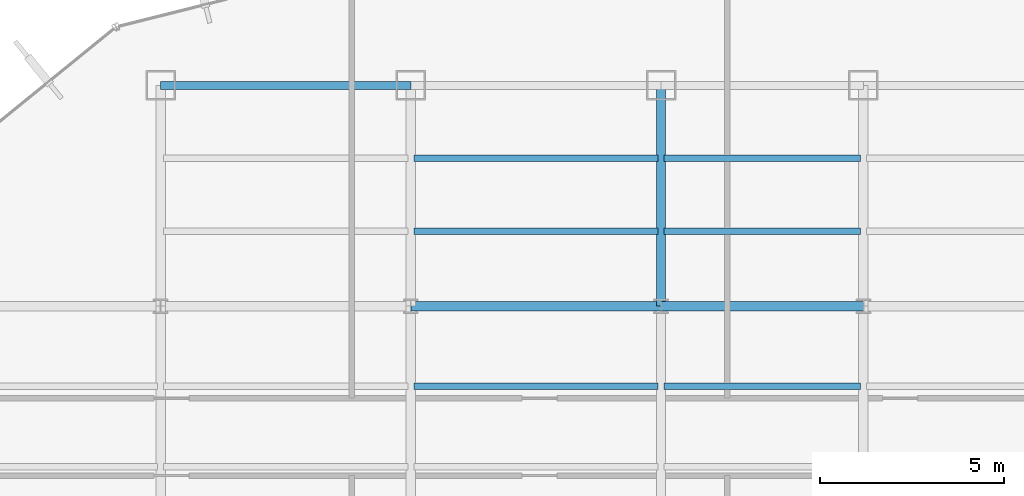
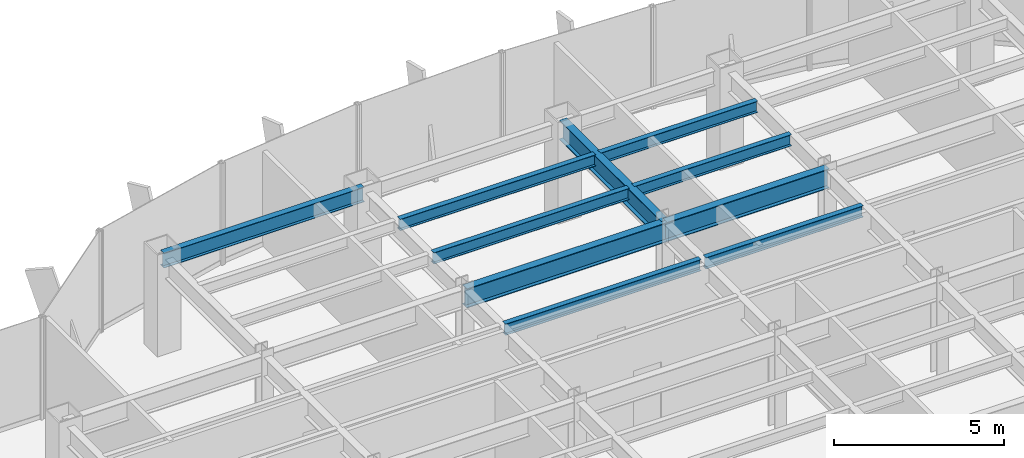
# One storey, part 15 of 26: 10 beams.
"""IFC4 building model written with IfcOpenShell, lengths in metres."""

from ifc_helpers import new_model, si_unit, derived_unit, direction, frame, origin, origin_2d, place, context, subcontext, project, spatial, i_section, extrude, source, transform, mapped, material, material_profile, profile_set, type_object, element, save


model = new_model("IFC4")

# Units and contexts
model_context = context("Model", 3, precision=1e-05, world=origin(), true_north=direction((0.0, 1.0)))
body_context = subcontext(model_context, "Body", "Model", "MODEL_VIEW")
ifc_project = project(units=[si_unit("LENGTHUNIT", "METRE"), si_unit("AREAUNIT", "SQUARE_METRE"), si_unit("VOLUMEUNIT", "CUBIC_METRE"), si_unit("PLANEANGLEUNIT", "RADIAN"), si_unit("MASSUNIT", "GRAM", prefix="KILO"), derived_unit("THERMALTRANSMITTANCEUNIT", [(si_unit("POWERUNIT", "WATT"), 1), (si_unit("LENGTHUNIT", "METRE"), -2), (si_unit("THERMODYNAMICTEMPERATUREUNIT", "KELVIN"), -1)])], contexts=[model_context])

# Site, building, storey
site_placement = place(None, origin())
site = spatial("IfcSite", under=ifc_project, at=site_placement, CompositionType="ELEMENT")
building_placement = place(site_placement, origin())
building = spatial("IfcBuilding", under=site, at=building_placement, Name="Skarnbrae Concourse Arena and Tower", CompositionType="ELEMENT")
storey_placement = place(building_placement, frame((0.0, 0.0, 121.5)))
storey = spatial("IfcBuildingStorey", under=building, at=storey_placement, Name="L30", CompositionType="ELEMENT", Elevation=121.5)

# Beams
ifc_material = material(Name="Steel CSA G40.21 350W", Category="steel")
ifc_material_profile_1 = material_profile(ifc_material, i_section(OverallWidth=0.256103515625, OverallDepth=0.693115234375, WebThickness=0.014404296875, FlangeThickness=0.023681640625, at=origin_2d()), Name="W690X170")
ifc_profile_set_1 = profile_set([ifc_material_profile_1], Name="Steel CSA G40.21 350W")
beam_type_1 = type_object("IfcBeamType", Name="BM-GIRD-W690X170", PredefinedType="BEAM", material=ifc_profile_set_1)
shared_shape_1 = source(origin(), body_context, "Body", "SweptSolid", [
    extrude(i_section(OverallWidth=0.256103515625, OverallDepth=0.693115234375, WebThickness=0.014404296875, FlangeThickness=0.023681640625, at=origin_2d()), origin(), (0.0, 0.0, 1.0), 6.800048828125),
])
beam_1_placement = place(storey_placement, frame((21.199951171875, 34.39990234375, 3.053466796875), z_axis=(1.0, 0.0, 0.0), x_axis=(0.0, 1.0, 0.0)))
element("IfcBeam", 1, at=beam_1_placement, inside=storey, type_object=beam_type_1, Name="L30 Primary E-W girder Y34.4-3", PredefinedType="BEAM", context=body_context, shape_type="MappedRepresentation", body=[
    mapped(shared_shape_1, transform((0.0, 0.0, 0.0))),
])
shared_shape_2 = source(origin(), body_context, "Body", "SweptSolid", [
    extrude(i_section(OverallWidth=0.256103515625, OverallDepth=0.693115234375, WebThickness=0.014404296875, FlangeThickness=0.023681640625, at=origin_2d()), origin(), (0.0, 0.0, 1.0), 5.5),
])
beam_2_placement = place(storey_placement, frame((28.0, 34.39990234375, 3.053466796875), z_axis=(1.0, 0.0, 0.0), x_axis=(0.0, 1.0, 0.0)))
element("IfcBeam", 2, at=beam_2_placement, inside=storey, type_object=beam_type_1, Name="L30 Primary E-W girder Y34.4-4", PredefinedType="BEAM", context=body_context, shape_type="MappedRepresentation", body=[
    mapped(shared_shape_2, transform((0.0, 0.0, 0.0))),
])
ifc_material_profile_2 = material_profile(ifc_material, i_section(OverallWidth=0.208984375, OverallDepth=0.532958984375, WebThickness=0.01025390625, FlangeThickness=0.015625, at=origin_2d()), Name="W530X92")
ifc_profile_set_2 = profile_set([ifc_material_profile_2], Name="Steel CSA G40.21 350W")
beam_type_2 = type_object("IfcBeamType", Name="BM-SPAN-W530X92", PredefinedType="SPANDREL", material=ifc_profile_set_2)
shared_shape_3 = source(origin(), body_context, "Body", "SweptSolid", [
    extrude(i_section(OverallWidth=0.208984375, OverallDepth=0.532958984375, WebThickness=0.01025390625, FlangeThickness=0.015625, at=origin_2d()), origin(), (0.0, 0.0, 1.0), 6.800048828125),
])
beam_3_placement = place(storey_placement, frame((14.39990234375, 40.39990234375, 3.133544921875), z_axis=(1.0, 0.0, 0.0), x_axis=(0.0, 1.0, 0.0)))
element("IfcBeam", 3, at=beam_3_placement, inside=storey, type_object=beam_type_2, Name="L30 Perimeter spandrel Y40.4-1", PredefinedType="SPANDREL", context=body_context, shape_type="MappedRepresentation", body=[
    mapped(shared_shape_3, transform((0.0, 0.0, 0.0))),
])
shared_shape_4 = source(origin(), body_context, "Body", "SweptSolid", [
    extrude(i_section(OverallWidth=0.256103515625, OverallDepth=0.693115234375, WebThickness=0.014404296875, FlangeThickness=0.023681640625, at=origin_2d()), origin(), (0.0, 0.0, 1.0), 6.0),
])
beam_4_placement = place(storey_placement, frame((28.0, 34.39990234375, 3.053466796875), z_axis=(0.0, 1.0, 0.0), x_axis=(-1.0, 0.0, 0.0)))
element("IfcBeam", 4, at=beam_4_placement, inside=storey, type_object=beam_type_1, Name="L30 Primary N-S girder X28.0-4", PredefinedType="BEAM", context=body_context, shape_type="MappedRepresentation", body=[
    mapped(shared_shape_4, transform((0.0, 0.0, 0.0))),
])
ifc_material_profile_3 = material_profile(ifc_material, i_section(OverallWidth=0.177978515625, OverallDepth=0.406982421875, WebThickness=0.0078125, FlangeThickness=0.0126953125, at=origin_2d()), Name="W410X60")
ifc_profile_set_3 = profile_set([ifc_material_profile_3], Name="Steel CSA G40.21 350W")
beam_type_3 = type_object("IfcBeamType", Name="BM-JOIST-W410X60", PredefinedType="JOIST", material=ifc_profile_set_3)
shared_shape_5 = source(origin(), body_context, "Body", "SweptSolid", [
    extrude(i_section(OverallWidth=0.177978515625, OverallDepth=0.406982421875, WebThickness=0.0078125, FlangeThickness=0.0126953125, at=origin_2d()), origin(), (0.0, 0.0, 1.0), 6.639892578125),
])
for number, where, z_axis, x_axis, name in (
    (5, (21.280029296875, 32.221923828125, 3.196533203125), (1.0, 0.0, 0.0), (0.0, 1.0, 0.0), "L30 Secondary floor joist 3.2.3"),
    (6, (21.280029296875, 36.43994140625, 3.196533203125), (1.0, 0.0, 0.0), (0.0, 1.0, 0.0), "L30 Secondary floor joist 4.1.2"),
    (7, (21.280029296875, 38.419921875, 3.196533203125), (1.0, 0.0, 0.0), (0.0, 1.0, 0.0), "L30 Secondary floor joist 4.2.2"),
):
    element("IfcBeam", number, at=place(storey_placement, frame(where, z_axis=z_axis, x_axis=x_axis)), inside=storey, type_object=beam_type_3, Name=name, PredefinedType="JOIST", context=body_context, shape_type="MappedRepresentation", body=[
        mapped(shared_shape_5, transform((0.0, 0.0, 0.0))),
    ])
shared_shape_6 = source(origin(), body_context, "Body", "SweptSolid", [
    extrude(i_section(OverallWidth=0.177978515625, OverallDepth=0.406982421875, WebThickness=0.0078125, FlangeThickness=0.0126953125, at=origin_2d()), origin(), (0.0, 0.0, 1.0), 5.33984375),
])
for number, where, z_axis, x_axis, name in (
    (8, (28.080078125, 32.221923828125, 3.196533203125), (1.0, 0.0, 0.0), (0.0, 1.0, 0.0), "L30 Secondary floor joist 3.2.4"),
    (9, (28.080078125, 36.43994140625, 3.196533203125), (1.0, 0.0, 0.0), (0.0, 1.0, 0.0), "L30 Secondary floor joist 4.1.3"),
    (10, (28.080078125, 38.419921875, 3.196533203125), (1.0, 0.0, 0.0), (0.0, 1.0, 0.0), "L30 Secondary floor joist 4.2.3"),
):
    element("IfcBeam", number, at=place(storey_placement, frame(where, z_axis=z_axis, x_axis=x_axis)), inside=storey, type_object=beam_type_3, Name=name, PredefinedType="JOIST", context=body_context, shape_type="MappedRepresentation", body=[
        mapped(shared_shape_6, transform((0.0, 0.0, 0.0))),
    ])

save(model, "model.ifc")
